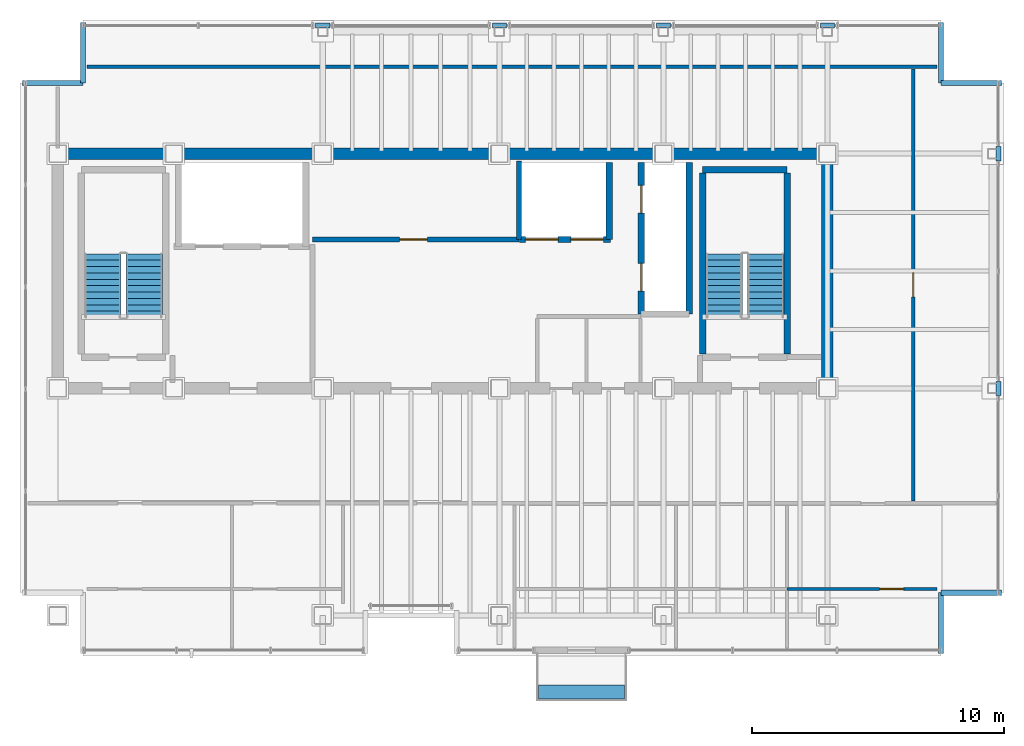
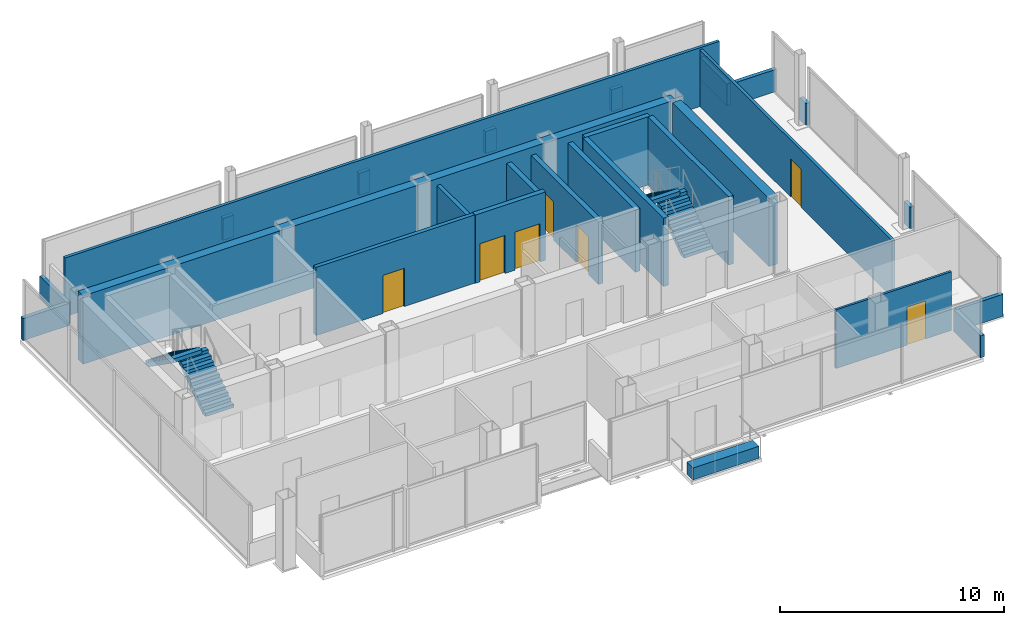
# One storey, part 15 of 17: 26 walls, 7 doors, 4 stair flights, 1 discrete accessory, 7 openings, 2 elements without a shape of their own.
"""IFC4 building model written with IfcOpenShell, lengths in metres."""

from ifc_helpers import new_model, si_unit, direction, frame, frame_2d, origin, origin_2d, place, context, subcontext, project, spatial, polyline, rectangle, outline, extrude, material, layer, layer_set, type_object, element, fill, aggregate, save


model = new_model("IFC4")

# Units and contexts
model_context = context("Model", 3, precision=1e-05, world=origin(), true_north=direction((0.0, 1.0)))
body_context = subcontext(model_context, "Body", "Model", "MODEL_VIEW")
ifc_project = project(units=[si_unit("LENGTHUNIT", "METRE"), si_unit("AREAUNIT", "SQUARE_METRE"), si_unit("VOLUMEUNIT", "CUBIC_METRE"), si_unit("PLANEANGLEUNIT", "RADIAN"), si_unit("MASSUNIT", "GRAM", prefix="KILO")], contexts=[model_context])

# Site, building, storey
site_placement = place(None, origin())
site = spatial("IfcSite", under=ifc_project, at=site_placement, CompositionType="ELEMENT")
building_placement = place(site_placement, origin())
building = spatial("IfcBuilding", under=site, at=building_placement, Name="Noeulbin Bourse Tower", CompositionType="ELEMENT")
storey_placement = place(building_placement, frame((0.0, 0.0, 293.0)))
storey = spatial("IfcBuildingStorey", under=building, at=storey_placement, Name="L73", CompositionType="ELEMENT", Elevation=293.0)

# Walls
ifc_material_1 = material(Name="Concrete C50/60", Category="concrete")
ifc_layer_1 = layer(ifc_material_1, 0.449951171875)
ifc_layer_set_1 = layer_set([ifc_layer_1], Name="Concrete C50/60")
wall_type_1 = type_object("IfcWallType", Name="WAL-CORE-450", PredefinedType="SHEAR", material=ifc_layer_set_1)
wall_1_placement = place(storey_placement, frame((13.5, 38.300048828125, 0.0), z_axis=(0.0, 0.0, 1.0), x_axis=(1.0, 0.0, 0.0)))
element("IfcWall", 1, at=wall_1_placement, inside=storey, type_object=wall_type_1, Name="Rear Core North Shear Wall L73", PredefinedType="SHEAR", context=body_context, shape_type="SweptSolid", body=[
    extrude(rectangle(XDim=30.5, YDim=0.449951171875, at=frame_2d((15.25, 0.0))), origin(), (0.0, 0.0, 1.0), 3.719970703125),
])
wall_2_placement = place(storey_placement, frame((44.0, 29.35009765625, 0.0), z_axis=(0.0, 0.0, 1.0), x_axis=(0.0, 1.0, 0.0)))
element("IfcWall", 2, at=wall_2_placement, inside=storey, type_object=wall_type_1, Name="Rear Core East Shear Wall L73", PredefinedType="SHEAR", context=body_context, shape_type="SweptSolid", body=[
    extrude(rectangle(XDim=8.599853515625, YDim=0.449951171875, at=frame_2d((4.2998046875, 0.0))), origin(), (0.0, 0.0, 1.0), 3.719970703125),
])

# Wall, opening, door
ifc_material_2 = material(Name="Concrete C40/50", Category="concrete")
ifc_layer_2 = layer(ifc_material_2, 0.199951171875)
ifc_layer_set_2 = layer_set([ifc_layer_2], Name="Concrete C40/50")
wall_type_2 = type_object("IfcWallType", Name="WAL-FIRE-200", PredefinedType="STANDARD", material=ifc_layer_set_2)
wall_3_placement = place(storey_placement, frame((23.60009765625, 34.89990234375, 0.0), z_axis=(0.0, 0.0, 1.0), x_axis=(1.0, 0.0, 0.0)))
wall_3 = element("IfcWall", 3, at=wall_3_placement, inside=storey, type_object=wall_type_2, Name="Interior Partition Wall L73-02", PredefinedType="STANDARD", context=body_context, shape_type="SweptSolid", body=[
    extrude(rectangle(XDim=8.179931640625, YDim=0.199951171875, at=frame_2d((4.08984375, 0.0))), origin(), (0.0, 0.0, 1.0), 3.719970703125),
])
opening_1_placement = place(wall_3_placement, frame((3.449951171875, 0.0, 0.0)))
opening_1 = element("IfcOpeningElement", 4, at=opening_1_placement, cuts=wall_3, Name="Opening FD-11", PredefinedType="OPENING", context=body_context, shape_type="SweptSolid", body=[
    extrude(rectangle(XDim=1.10009765625, YDim=2.080078125, at=frame_2d((0.550048828125, 1.0400390625))), frame((0.0, 0.10986328125, 0.0), z_axis=(0.0, -1.0, 0.0), x_axis=(1.0, 0.0, 0.0)), (0.0, 0.0, 1.0), 0.219970703125),
])
ifc_material_3 = material(Name="Fire-Rated Insulated Steel", Category="steel")
door_type_1 = type_object("IfcDoorType", Name="DR-FD60-1100", OperationType="SINGLE_SWING_LEFT", PredefinedType="DOOR", material=ifc_material_3)
door_1_placement = place(opening_1_placement, origin())
door_1 = element("IfcDoor", 5, at=door_1_placement, inside=storey, type_object=door_type_1, Name="Telemetry Server Door L73", OperationType="SINGLE_SWING_LEFT", OverallHeight=2.080078125, OverallWidth=1.10009765625, PredefinedType="DOOR", context=body_context, shape_type="SweptSolid", body=[
    extrude(rectangle(XDim=1.10009765625, YDim=2.080078125, at=frame_2d((0.550048828125, 1.0400390625))), frame((0.0, 0.02490234375, 0.0), z_axis=(0.0, -1.0, 0.0), x_axis=(1.0, 0.0, 0.0)), (0.0, 0.0, 1.0), 0.050048828125),
])
fill(opening_1, door_1)

# Walls
ifc_layer_3 = layer(ifc_material_2, 0.199951171875)
ifc_layer_set_3 = layer_set([ifc_layer_3], Name="Concrete C40/50")
wall_type_3 = type_object("IfcWallType", Name="WAL-PAR-200", PredefinedType="PARAPET", material=ifc_layer_set_3)
for number, where, z_axis, x_axis, name in (
    (6, (23.719970703125, 43.3798828125, 0.0), (0.0, 0.0, 1.0), (1.0, 0.0, 0.0), "Perimeter Pier Spandrel Parapet L73-N1"),
    (7, (30.719970703125, 43.3798828125, 0.0), (0.0, 0.0, 1.0), (1.0, 0.0, 0.0), "Perimeter Pier Spandrel Parapet L73-N2"),
    (8, (37.219970703125, 43.3798828125, 0.0), (0.0, 0.0, 1.0), (1.0, 0.0, 0.0), "Perimeter Pier Spandrel Parapet L73-N3"),
    (9, (43.719970703125, 43.3798828125, 0.0), (0.0, 0.0, 1.0), (1.0, 0.0, 0.0), "Perimeter Pier Spandrel Parapet L73-N4"),
    (10, (50.780029296875, 28.719970703125, 0.0), (0.0, 0.0, 1.0), (0.0, 1.0, 0.0), "Perimeter Pier Spandrel Parapet L73-E5"),
    (11, (50.780029296875, 38.02001953125, 0.0), (0.0, 0.0, 1.0), (0.0, 1.0, 0.0), "Perimeter Pier Spandrel Parapet L73-E6"),
):
    element("IfcWall", number, at=place(storey_placement, frame(where, z_axis=z_axis, x_axis=x_axis)), inside=storey, type_object=wall_type_3, Name=name, PredefinedType="PARAPET", context=body_context, shape_type="SweptSolid", body=[
        extrude(rectangle(XDim=0.56005859375, YDim=0.199951171875, at=frame_2d((0.280029296875, 0.0))), origin(), (0.0, 0.0, 1.0), 1.199951171875),
    ])
for number, where, z_axis, x_axis, name in (
    (12, (48.5, 18.5, 0.0), (0.0, 0.0, 1.0), (0.0, 1.0, 0.0), "Corner Notch Parapet L73-SE1"),
    (13, (48.5, 20.89990234375, 0.0), (0.0, 0.0, 1.0), (1.0, 0.0, 0.0), "Corner Notch Parapet L73-SE2"),
    (14, (12.10009765625, 41.10009765625, 0.0), (0.0, 0.0, 1.0), (1.0, 0.0, 0.0), "Corner Notch Parapet L73-NW1"),
    (15, (14.5, 41.10009765625, 0.0), (0.0, 0.0, 1.0), (0.0, 1.0, 0.0), "Corner Notch Parapet L73-NW2"),
    (16, (48.5, 43.5, 0.0), (0.0, 0.0, 1.0), (0.0, -1.0, 0.0), "Corner Notch Parapet L73-NE1"),
    (17, (48.5, 41.10009765625, 0.0), (0.0, 0.0, 1.0), (1.0, 0.0, 0.0), "Corner Notch Parapet L73-NE2"),
):
    element("IfcWall", number, at=place(storey_placement, frame(where, z_axis=z_axis, x_axis=x_axis)), inside=storey, type_object=wall_type_3, Name=name, PredefinedType="PARAPET", context=body_context, shape_type="SweptSolid", body=[
        extrude(rectangle(XDim=2.39990234375, YDim=0.199951171875, at=frame_2d((1.199951171875, 0.0))), origin(), (0.0, 0.0, 1.0), 1.199951171875),
    ])

# Wall, opening, door
ifc_material_4 = material(Name="Steel Stud Gypsum Partition", Category="steel")
ifc_layer_4 = layer(ifc_material_4, 0.1201171875)
ifc_layer_set_4 = layer_set([ifc_layer_4], Name="Steel Stud Gypsum Partition")
wall_type_4 = type_object("IfcWallType", Name="WAL-PRT-120", PredefinedType="PARTITIONING", material=ifc_layer_set_4)
wall_4_placement = place(storey_placement, frame((42.39990234375, 21.050048828125, 0.0), z_axis=(0.0, 0.0, 1.0), x_axis=(1.0, 0.0, 0.0)))
wall_4 = element("IfcWall", 18, at=wall_4_placement, inside=storey, type_object=wall_type_4, Name="Interior Partition Wall L73-09", PredefinedType="PARTITIONING", context=body_context, shape_type="SweptSolid", body=[
    extrude(rectangle(XDim=5.940185546875, YDim=0.1201171875, at=frame_2d((2.97021484375, 0.0))), origin(), (0.0, 0.0, 1.0), 3.199951171875),
])
opening_2_placement = place(wall_4_placement, frame((3.669921875, 0.0, 0.0)))
opening_2 = element("IfcOpeningElement", 19, at=opening_2_placement, cuts=wall_4, Name="Opening ID-09", PredefinedType="OPENING", context=body_context, shape_type="SweptSolid", body=[
    extrude(rectangle(XDim=0.949951171875, YDim=2.080078125, at=frame_2d((0.47509765625, 1.0400390625))), frame((0.0, 0.070068359375, 0.0), z_axis=(0.0, -1.0, 0.0), x_axis=(1.0, 0.0, 0.0)), (0.0, 0.0, 1.0), 0.14013671875),
])
ifc_material_5 = material(Name="Acoustic Solid-Core Timber", Category="wood")
door_type_2 = type_object("IfcDoorType", Name="DR-SINGLE-950", OperationType="SINGLE_SWING_LEFT", PredefinedType="DOOR", material=ifc_material_5)
door_2_placement = place(opening_2_placement, origin())
door_2 = element("IfcDoor", 20, at=door_2_placement, inside=storey, type_object=door_type_2, Name="Interior Door L73-17", OperationType="SINGLE_SWING_LEFT", OverallHeight=2.080078125, OverallWidth=0.949951171875, PredefinedType="DOOR", context=body_context, shape_type="SweptSolid", body=[
    extrude(rectangle(XDim=0.949951171875, YDim=2.080078125, at=frame_2d((0.47509765625, 1.0400390625))), frame((0.0, 0.02490234375, 0.0), z_axis=(0.0, -1.0, 0.0), x_axis=(1.0, 0.0, 0.0)), (0.0, 0.0, 1.0), 0.050048828125),
])
fill(opening_2, door_2)

# Wall
ifc_material_6 = material(Name="Steel Stud Acoustic Gypsum Board", Category="steel")
ifc_layer_5 = layer(ifc_material_6, 0.14990234375)
ifc_layer_set_5 = layer_set([ifc_layer_5], Name="Steel Stud Acoustic Gypsum Board")
wall_type_5 = type_object("IfcWallType", Name="WAL-PRT-150", PredefinedType="PARTITIONING", material=ifc_layer_set_5)
wall_5_placement = place(storey_placement, frame((14.659912109375, 41.75, 0.0), z_axis=(0.0, 0.0, 1.0), x_axis=(1.0, 0.0, 0.0)))
element("IfcWall", 21, at=wall_5_placement, inside=storey, type_object=wall_type_5, Name="Interior Partition Wall L73-10", PredefinedType="PARTITIONING", context=body_context, shape_type="SweptSolid", body=[
    extrude(rectangle(XDim=33.68017578125, YDim=0.14990234375, at=frame_2d((16.840087890625, 0.0))), origin(), (0.0, 0.0, 1.0), 3.199951171875),
])

# Wall, opening, door
wall_6_placement = place(storey_placement, frame((47.39990234375, 24.534912109375, 0.0), z_axis=(0.0, 0.0, 1.0), x_axis=(0.0, 1.0, 0.0)))
wall_6 = element("IfcWall", 22, at=wall_6_placement, inside=storey, type_object=wall_type_5, Name="Interior Partition Wall L73-17", PredefinedType="PARTITIONING", context=body_context, shape_type="SweptSolid", body=[
    extrude(rectangle(XDim=17.130126953125, YDim=0.14990234375, at=frame_2d((8.56494140625, 0.0))), origin(), (0.0, 0.0, 1.0), 3.10009765625),
])
opening_3_placement = place(wall_6_placement, frame((8.090087890625, 0.0, 0.0)))
opening_3 = element("IfcOpeningElement", 23, at=opening_3_placement, cuts=wall_6, Name="Opening ID-09", PredefinedType="OPENING", context=body_context, shape_type="SweptSolid", body=[
    extrude(rectangle(XDim=0.949951171875, YDim=2.080078125, at=frame_2d((0.47509765625, 1.0400390625))), frame((0.0, 0.0849609375, 0.0), z_axis=(0.0, -1.0, 0.0), x_axis=(1.0, 0.0, 0.0)), (0.0, 0.0, 1.0), 0.169921875),
])
door_3_placement = place(opening_3_placement, origin())
door_3 = element("IfcDoor", 24, at=door_3_placement, inside=storey, type_object=door_type_2, Name="Interior Door L73-19", OperationType="SINGLE_SWING_LEFT", OverallHeight=2.080078125, OverallWidth=0.949951171875, PredefinedType="DOOR", context=body_context, shape_type="SweptSolid", body=[
    extrude(rectangle(XDim=0.949951171875, YDim=2.080078125, at=frame_2d((0.47509765625, 1.0400390625))), frame((0.0, 0.02490234375, 0.0), z_axis=(0.0, -1.0, 0.0), x_axis=(1.0, 0.0, 0.0)), (0.0, 0.0, 1.0), 0.050048828125),
])
fill(opening_3, door_3)

# Walls
ifc_layer_6 = layer(ifc_material_2, 0.25)
ifc_layer_set_6 = layer_set([ifc_layer_6], Name="Concrete C40/50")
wall_type_6 = type_object("IfcWallType", Name="WAL-SHFT-250", PredefinedType="STANDARD", material=ifc_layer_set_6)
wall_7_placement = place(storey_placement, frame((39.06005859375, 37.6689453125, 0.0), z_axis=(0.0, 0.0, 1.0), x_axis=(1.0, 0.0, 0.0)))
element("IfcWall", 25, at=wall_7_placement, inside=storey, type_object=wall_type_6, Name="Stair ST-2 North Shaft Wall L73", PredefinedType="STANDARD", context=body_context, shape_type="SweptSolid", body=[
    extrude(rectangle(XDim=3.33984375, YDim=0.25, at=frame_2d((1.669921875, 0.0))), origin(), (0.0, 0.0, 1.0), 3.719970703125),
])
for number, where, z_axis, x_axis, name in (
    (26, (39.054931640625, 30.360107421875, 0.0), (0.0, 0.0, 1.0), (0.0, 1.0, 0.0), "Stair ST-2 West Shaft Wall L73"),
    (27, (42.405029296875, 30.360107421875, 0.0), (0.0, 0.0, 1.0), (0.0, 1.0, 0.0), "Stair ST-2 East Shaft Wall L73"),
):
    element("IfcWall", number, at=place(storey_placement, frame(where, z_axis=z_axis, x_axis=x_axis)), inside=storey, type_object=wall_type_6, Name=name, PredefinedType="STANDARD", context=body_context, shape_type="SweptSolid", body=[
        extrude(rectangle(XDim=7.183837890625, YDim=0.25, at=frame_2d((3.591796875, 0.0))), origin(), (0.0, 0.0, 1.0), 3.719970703125),
    ])

# Wall, openings, doors
wall_8_placement = place(storey_placement, frame((36.6201171875, 31.949951171875, 0.0), z_axis=(0.0, 0.0, 1.0), x_axis=(0.0, 1.0, 0.0)))
wall_8 = element("IfcWall", 28, at=wall_8_placement, inside=storey, type_object=wall_type_6, Name="Service Lift Shaft Wall L73", PredefinedType="STANDARD", context=body_context, shape_type="SweptSolid", body=[
    extrude(rectangle(XDim=6.0, YDim=0.25, at=frame_2d((3.0, 0.0))), origin(), (0.0, 0.0, 1.0), 3.39990234375),
])
opening_4_placement = place(wall_8_placement, frame((0.89990234375, 0.0, 0.0)))
opening_4 = element("IfcOpeningElement", 29, at=opening_4_placement, cuts=wall_8, Name="Opening LD-11", PredefinedType="OPENING", context=body_context, shape_type="SweptSolid", body=[
    extrude(rectangle(XDim=1.10009765625, YDim=2.080078125, at=frame_2d((0.550048828125, 1.0400390625))), frame((0.0, 0.135009765625, 0.0), z_axis=(0.0, -1.0, 0.0), x_axis=(1.0, 0.0, 0.0)), (0.0, 0.0, 1.0), 0.27001953125),
])
opening_5_placement = place(wall_8_placement, frame((4.0, 0.0, 0.0)))
opening_5 = element("IfcOpeningElement", 30, at=opening_5_placement, cuts=wall_8, Name="Opening LD-11", PredefinedType="OPENING", context=body_context, shape_type="SweptSolid", body=[
    extrude(rectangle(XDim=1.10009765625, YDim=2.080078125, at=frame_2d((0.550048828125, 1.0400390625))), frame((0.0, 0.135009765625, 0.0), z_axis=(0.0, -1.0, 0.0), x_axis=(1.0, 0.0, 0.0)), (0.0, 0.0, 1.0), 0.27001953125),
])
ifc_material_7 = material(Name="Brushed Stainless Steel 316", Category="steel")
door_type_3 = type_object("IfcDoorType", Name="DR-LIFT-1100", OperationType="SLIDING_TO_LEFT", PredefinedType="DOOR", material=ifc_material_7)
door_4_placement = place(opening_4_placement, origin())
door_4 = element("IfcDoor", 31, at=door_4_placement, inside=storey, type_object=door_type_3, Name="Lift Landing Door LD-EL-01-L73", OperationType="SLIDING_TO_LEFT", OverallHeight=2.080078125, OverallWidth=1.10009765625, PredefinedType="DOOR", context=body_context, shape_type="SweptSolid", body=[
    extrude(rectangle(XDim=1.10009765625, YDim=2.080078125, at=frame_2d((0.550048828125, 1.0400390625))), frame((0.0, 0.02490234375, 0.0), z_axis=(0.0, -1.0, 0.0), x_axis=(1.0, 0.0, 0.0)), (0.0, 0.0, 1.0), 0.050048828125),
])
fill(opening_4, door_4)
door_5_placement = place(opening_5_placement, origin())
door_5 = element("IfcDoor", 32, at=door_5_placement, inside=storey, type_object=door_type_3, Name="Lift Landing Door LD-SV-01-L73", OperationType="SLIDING_TO_LEFT", OverallHeight=2.080078125, OverallWidth=1.10009765625, PredefinedType="DOOR", context=body_context, shape_type="SweptSolid", body=[
    extrude(rectangle(XDim=1.10009765625, YDim=2.080078125, at=frame_2d((0.550048828125, 1.0400390625))), frame((0.0, 0.02490234375, 0.0), z_axis=(0.0, -1.0, 0.0), x_axis=(1.0, 0.0, 0.0)), (0.0, 0.0, 1.0), 0.050048828125),
])
fill(opening_5, door_5)

# Walls
wall_9_placement = place(storey_placement, frame((38.52001953125, 31.949951171875, 0.0), z_axis=(0.0, 0.0, 1.0), x_axis=(0.0, 1.0, 0.0)))
element("IfcWall", 33, at=wall_9_placement, inside=storey, type_object=wall_type_6, Name="Service Lift East Shaft Wall L73", PredefinedType="STANDARD", context=body_context, shape_type="SweptSolid", body=[
    extrude(rectangle(XDim=6.0, YDim=0.25, at=frame_2d((3.0, 0.0))), origin(), (0.0, 0.0, 1.0), 3.39990234375),
])
wall_10_placement = place(storey_placement, frame((35.360107421875, 34.89990234375, 0.0), z_axis=(0.0, 0.0, 1.0), x_axis=(0.0, 1.0, 0.0)))
element("IfcWall", 34, at=wall_10_placement, inside=storey, type_object=wall_type_6, Name="High-Rise Lift East Shaft Wall L73", PredefinedType="STANDARD", context=body_context, shape_type="SweptSolid", body=[
    extrude(rectangle(XDim=3.050048828125, YDim=0.25, at=frame_2d((1.52490234375, 0.0))), origin(), (0.0, 0.0, 1.0), 3.39990234375),
])

# Wall, openings, doors
wall_11_placement = place(storey_placement, frame((31.800048828125, 34.89990234375, 0.0), z_axis=(0.0, 0.0, 1.0), x_axis=(1.0, 0.0, 0.0)))
wall_11 = element("IfcWall", 35, at=wall_11_placement, inside=storey, type_object=wall_type_6, Name="High-Rise Lift Bank Front L73", PredefinedType="STANDARD", context=body_context, shape_type="SweptSolid", body=[
    extrude(rectangle(XDim=3.599853515625, YDim=0.25, at=frame_2d((1.7998046875, 0.0))), origin(), (0.0, 0.0, 1.0), 3.719970703125),
])
opening_6_placement = place(wall_11_placement, frame((0.22998046875, 0.0, 0.0)))
opening_6 = element("IfcOpeningElement", 36, at=opening_6_placement, cuts=wall_11, Name="Opening LD-13", PredefinedType="OPENING", context=body_context, shape_type="SweptSolid", body=[
    extrude(rectangle(XDim=1.300048828125, YDim=2.080078125, at=frame_2d((0.64990234375, 1.0400390625))), frame((0.0, 0.135009765625, 0.0), z_axis=(0.0, -1.0, 0.0), x_axis=(1.0, 0.0, 0.0)), (0.0, 0.0, 1.0), 0.27001953125),
])
opening_7_placement = place(wall_11_placement, frame((2.030029296875, 0.0, 0.0)))
opening_7 = element("IfcOpeningElement", 37, at=opening_7_placement, cuts=wall_11, Name="Opening LD-13", PredefinedType="OPENING", context=body_context, shape_type="SweptSolid", body=[
    extrude(rectangle(XDim=1.300048828125, YDim=2.080078125, at=frame_2d((0.64990234375, 1.0400390625))), frame((0.0, 0.135009765625, 0.0), z_axis=(0.0, -1.0, 0.0), x_axis=(1.0, 0.0, 0.0)), (0.0, 0.0, 1.0), 0.27001953125),
])
door_type_4 = type_object("IfcDoorType", Name="DR-LIFT-1300", OperationType="DOUBLE_DOOR_SLIDING", PredefinedType="DOOR", material=ifc_material_7)
door_6_placement = place(opening_6_placement, origin())
door_6 = element("IfcDoor", 38, at=door_6_placement, inside=storey, type_object=door_type_4, Name="Lift Landing Door LD-PL-H1-L73", OperationType="DOUBLE_DOOR_SLIDING", OverallHeight=2.080078125, OverallWidth=1.300048828125, PredefinedType="DOOR", context=body_context, shape_type="SweptSolid", body=[
    extrude(rectangle(XDim=1.300048828125, YDim=2.080078125, at=frame_2d((0.64990234375, 1.0400390625))), frame((0.0, 0.02490234375, 0.0), z_axis=(0.0, -1.0, 0.0), x_axis=(1.0, 0.0, 0.0)), (0.0, 0.0, 1.0), 0.050048828125),
])
fill(opening_6, door_6)
door_7_placement = place(opening_7_placement, origin())
door_7 = element("IfcDoor", 39, at=door_7_placement, inside=storey, type_object=door_type_4, Name="Lift Landing Door LD-PL-H2-L73", OperationType="DOUBLE_DOOR_SLIDING", OverallHeight=2.080078125, OverallWidth=1.300048828125, PredefinedType="DOOR", context=body_context, shape_type="SweptSolid", body=[
    extrude(rectangle(XDim=1.300048828125, YDim=2.080078125, at=frame_2d((0.64990234375, 1.0400390625))), frame((0.0, 0.02490234375, 0.0), z_axis=(0.0, -1.0, 0.0), x_axis=(1.0, 0.0, 0.0)), (0.0, 0.0, 1.0), 0.050048828125),
])
fill(opening_7, door_7)

# Wall
wall_12_placement = place(storey_placement, frame((31.780029296875, 34.89990234375, 0.0), z_axis=(0.0, 0.0, 1.0), x_axis=(0.0, 1.0, 0.0)))
element("IfcWall", 40, at=wall_12_placement, inside=storey, type_object=wall_type_6, Name="Hoistway Side Shaft Wall L73-PLHW", PredefinedType="STANDARD", context=body_context, shape_type="SweptSolid", body=[
    extrude(rectangle(XDim=3.1201171875, YDim=0.199951171875, at=frame_2d((1.56005859375, 0.0))), origin(), (0.0, 0.0, 1.0), 3.39990234375),
])

# Stair, stair flights
stair_type = type_object("IfcStairType", Name="STR-CORE-1560", PredefinedType="HALF_TURN_STAIR", material=ifc_material_2)
stair_1_placement = place(storey_placement, origin())
stair_1 = element("IfcStair", 41, at=stair_1_placement, inside=storey, type_object=stair_type, Name="L73 ST-1", PredefinedType="HALF_TURN_STAIR")
stair_flight_type = type_object("IfcStairFlightType", Name="SFL-CORE-1560", PredefinedType="STRAIGHT", material=ifc_material_2)
stair_flight_1_placement = place(storey_placement, frame((16.925048828125, 31.81005859375, 0.0), z_axis=(0.0, 0.0, 1.0), x_axis=(0.0, 1.0, 0.0)))
stair_flight_1 = element("IfcStairFlight", 42, at=stair_flight_1_placement, type_object=stair_flight_type, Name="ST-1 flight 1", NumberOfRisers=11, NumberOfTreads=10, PredefinedType="STRAIGHT", RiserHeight=0.177272727, TreadLength=0.252, context=body_context, shape_type="SweptSolid", body=[
    extrude(outline(polyline([(0.0, 0.0), (0.0, 0.17724609375), (0.251953125, 0.17724609375), (0.251953125, 0.3544921875), (0.50390625, 0.3544921875), (0.50390625, 0.53173828125), (0.756103515625, 0.53173828125), (0.756103515625, 0.708984375), (1.008056640625, 0.708984375), (1.008056640625, 0.886474609375), (1.260009765625, 0.886474609375), (1.260009765625, 1.063720703125), (1.511962890625, 1.063720703125), (1.511962890625, 1.240966796875), (1.763916015625, 1.240966796875), (1.763916015625, 1.418212890625), (2.01611328125, 1.418212890625), (2.01611328125, 1.595458984375), (2.26806640625, 1.595458984375), (2.26806640625, 1.772705078125), (2.52001953125, 1.772705078125), (2.52001953125, 1.949951171875), (2.52001953125, 1.552734375), (0.312744140625, 0.0), (0.0, 0.0)])), frame((0.0, 0.72509765625, 0.0), z_axis=(0.0, -1.0, 0.0), x_axis=(1.0, 0.0, 0.0)), (0.0, 0.0, 1.0), 1.449951171875),
])
stair_flight_2_placement = place(storey_placement, frame((15.27490234375, 34.330078125, 1.949951171875), z_axis=(0.0, 0.0, 1.0), x_axis=(0.0, -1.0, 0.0)))
stair_flight_2 = element("IfcStairFlight", 43, at=stair_flight_2_placement, type_object=stair_flight_type, Name="ST-1 flight 2", NumberOfRisers=11, NumberOfTreads=10, PredefinedType="STRAIGHT", RiserHeight=0.177272727, TreadLength=0.252, context=body_context, shape_type="SweptSolid", body=[
    extrude(outline(polyline([(0.0, 0.0), (0.0, 0.17724609375), (0.251953125, 0.17724609375), (0.251953125, 0.3544921875), (0.50390625, 0.3544921875), (0.50390625, 0.53173828125), (0.756103515625, 0.53173828125), (0.756103515625, 0.708984375), (1.008056640625, 0.708984375), (1.008056640625, 0.886474609375), (1.260009765625, 0.886474609375), (1.260009765625, 1.063720703125), (1.511962890625, 1.063720703125), (1.511962890625, 1.240966796875), (1.763916015625, 1.240966796875), (1.763916015625, 1.418212890625), (2.01611328125, 1.418212890625), (2.01611328125, 1.595458984375), (2.26806640625, 1.595458984375), (2.26806640625, 1.772705078125), (2.52001953125, 1.772705078125), (2.52001953125, 1.949951171875), (2.52001953125, 1.552734375), (0.312744140625, 0.0), (0.0, 0.0)])), frame((0.0, 0.72509765625, 0.0), z_axis=(0.0, -1.0, 0.0), x_axis=(1.0, 0.0, 0.0)), (0.0, 0.0, 1.0), 1.449951171875),
])
aggregate(stair_1, [stair_flight_1, stair_flight_2])

stair_2_placement = place(storey_placement, origin())
stair_2 = element("IfcStair", 44, at=stair_2_placement, inside=storey, type_object=stair_type, Name="L73 ST-2", PredefinedType="HALF_TURN_STAIR")
stair_flight_3_placement = place(storey_placement, frame((41.554931640625, 31.81005859375, 0.0), z_axis=(0.0, 0.0, 1.0), x_axis=(0.0, 1.0, 0.0)))
stair_flight_3 = element("IfcStairFlight", 45, at=stair_flight_3_placement, type_object=stair_flight_type, Name="ST-2 flight 1", NumberOfRisers=11, NumberOfTreads=10, PredefinedType="STRAIGHT", RiserHeight=0.177272727, TreadLength=0.252, context=body_context, shape_type="SweptSolid", body=[
    extrude(outline(polyline([(0.0, 0.0), (0.0, 0.17724609375), (0.251953125, 0.17724609375), (0.251953125, 0.3544921875), (0.50390625, 0.3544921875), (0.50390625, 0.53173828125), (0.756103515625, 0.53173828125), (0.756103515625, 0.708984375), (1.008056640625, 0.708984375), (1.008056640625, 0.886474609375), (1.260009765625, 0.886474609375), (1.260009765625, 1.063720703125), (1.511962890625, 1.063720703125), (1.511962890625, 1.240966796875), (1.763916015625, 1.240966796875), (1.763916015625, 1.418212890625), (2.01611328125, 1.418212890625), (2.01611328125, 1.595458984375), (2.26806640625, 1.595458984375), (2.26806640625, 1.772705078125), (2.52001953125, 1.772705078125), (2.52001953125, 1.949951171875), (2.52001953125, 1.552734375), (0.312744140625, 0.0), (0.0, 0.0)])), frame((0.0, 0.72509765625, 0.0), z_axis=(0.0, -1.0, 0.0), x_axis=(1.0, 0.0, 0.0)), (0.0, 0.0, 1.0), 1.449951171875),
])
stair_flight_4_placement = place(storey_placement, frame((39.905029296875, 34.330078125, 1.949951171875), z_axis=(0.0, 0.0, 1.0), x_axis=(0.0, -1.0, 0.0)))
stair_flight_4 = element("IfcStairFlight", 46, at=stair_flight_4_placement, type_object=stair_flight_type, Name="ST-2 flight 2", NumberOfRisers=11, NumberOfTreads=10, PredefinedType="STRAIGHT", RiserHeight=0.177272727, TreadLength=0.252, context=body_context, shape_type="SweptSolid", body=[
    extrude(outline(polyline([(0.0, 0.0), (0.0, 0.17724609375), (0.251953125, 0.17724609375), (0.251953125, 0.3544921875), (0.50390625, 0.3544921875), (0.50390625, 0.53173828125), (0.756103515625, 0.53173828125), (0.756103515625, 0.708984375), (1.008056640625, 0.708984375), (1.008056640625, 0.886474609375), (1.260009765625, 0.886474609375), (1.260009765625, 1.063720703125), (1.511962890625, 1.063720703125), (1.511962890625, 1.240966796875), (1.763916015625, 1.240966796875), (1.763916015625, 1.418212890625), (2.01611328125, 1.418212890625), (2.01611328125, 1.595458984375), (2.26806640625, 1.595458984375), (2.26806640625, 1.772705078125), (2.52001953125, 1.772705078125), (2.52001953125, 1.949951171875), (2.52001953125, 1.552734375), (0.312744140625, 0.0), (0.0, 0.0)])), frame((0.0, 0.72509765625, 0.0), z_axis=(0.0, -1.0, 0.0), x_axis=(1.0, 0.0, 0.0)), (0.0, 0.0, 1.0), 1.449951171875),
])
aggregate(stair_2, [stair_flight_3, stair_flight_4])

# Discrete accessory
ifc_material_8 = material(Name="Architectural GFRC Concrete C40/50", Category="concrete")
ifc_layer_7 = layer(ifc_material_8, 0.64990234375)
ifc_layer_set_7 = layer_set([ifc_layer_7], Name="Architectural GFRC Concrete C40/50")
discrete_accessory_type = type_object("IfcDiscreteAccessoryType", Name="PLANTER-BOX-3600", PredefinedType="USERDEFINED", material=ifc_layer_set_7)
discrete_accessory_placement = place(storey_placement, frame((34.25, 16.9599609375, 0.0), z_axis=(0.0, 0.0, 1.0), x_axis=(1.0, 0.0, 0.0)))
element("IfcDiscreteAccessory", 47, at=discrete_accessory_placement, inside=storey, type_object=discrete_accessory_type, Name="Integrated Balcony Tree Planter Box L73", ObjectType="PLANTER", PredefinedType="USERDEFINED", context=body_context, shape_type="SweptSolid", body=[
    extrude(rectangle(XDim=3.39990234375, YDim=0.550048828125, at=origin_2d()), origin(), (0.0, 0.0, 1.0), 0.64990234375),
])

save(model, "model.ifc")
